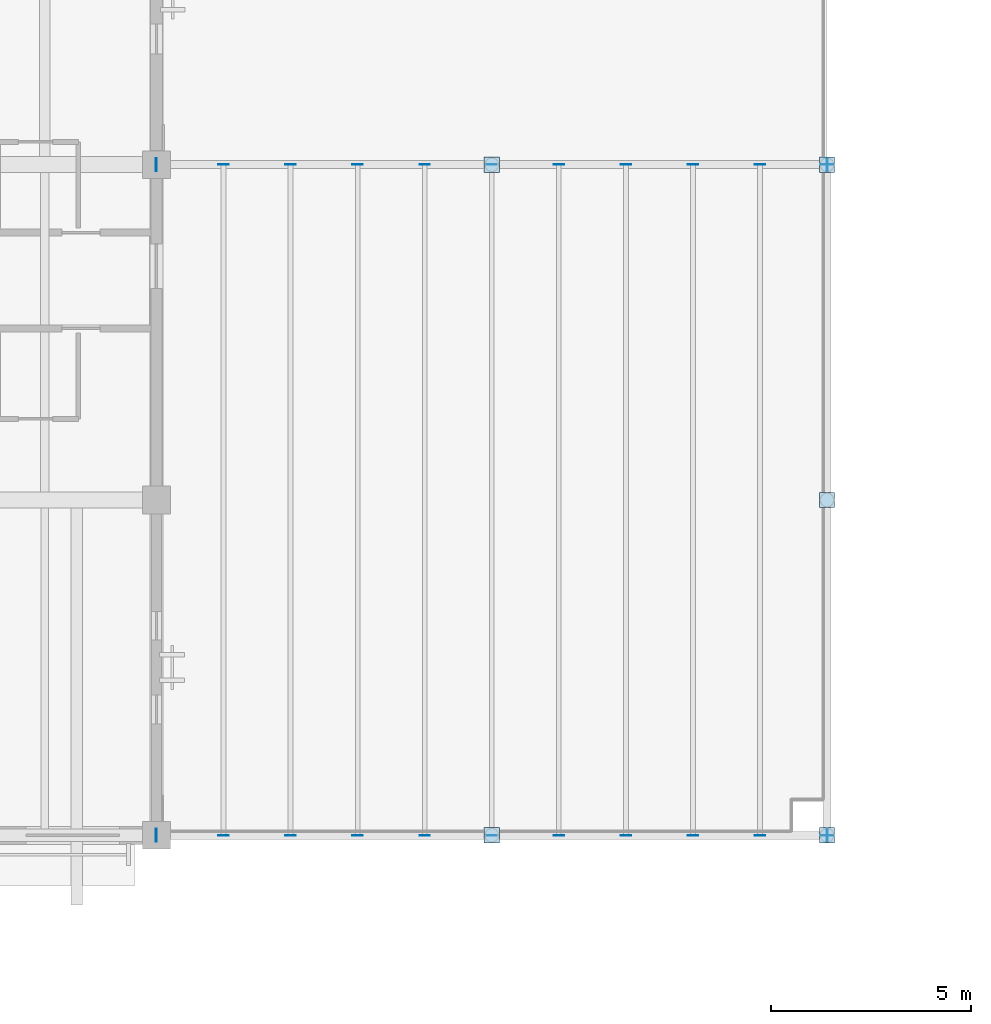
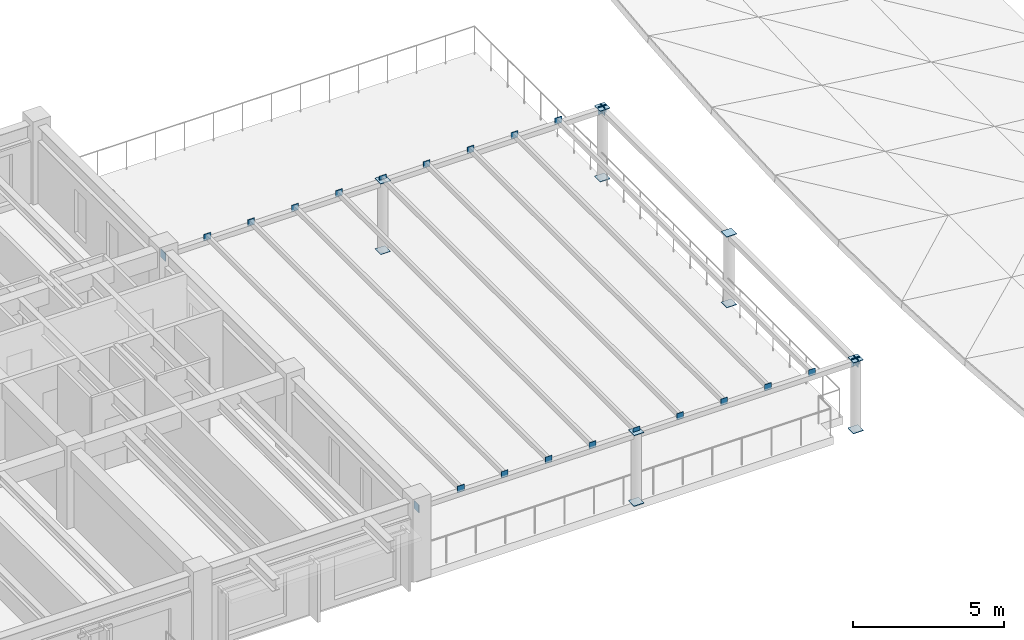
# One storey, part 76 of 93: 34 plates.
"""IFC4 building model written with IfcOpenShell, lengths in metres."""

from ifc_helpers import new_model, si_unit, direction, frame, origin, origin_2d, place, context, subcontext, project, spatial, rectangle, extrude, material, layer, layer_set, type_object, element, save


model = new_model("IFC4")

# Units and contexts
model_context = context("Model", 3, precision=1e-05, world=origin(), true_north=direction((0.0, 1.0)))
body_context = subcontext(model_context, "Body", "Model", "MODEL_VIEW")
ifc_project = project(units=[si_unit("LENGTHUNIT", "METRE"), si_unit("AREAUNIT", "SQUARE_METRE"), si_unit("VOLUMEUNIT", "CUBIC_METRE"), si_unit("PLANEANGLEUNIT", "RADIAN"), si_unit("MASSUNIT", "GRAM", prefix="KILO")], contexts=[model_context])

# Site, building, storey
site_placement = place(None, origin())
site = spatial("IfcSite", under=ifc_project, at=site_placement, CompositionType="ELEMENT")
building_placement = place(site_placement, origin())
building = spatial("IfcBuilding", under=site, at=building_placement, Name="Cumbredor Promenade Congress Hotel", CompositionType="ELEMENT")
storey_placement = place(building_placement, frame((0.0, 0.0, 21.840087890625)))
storey = spatial("IfcBuildingStorey", under=building, at=storey_placement, Name="L06", CompositionType="ELEMENT", Elevation=21.840087890625)

# Plates
ifc_material = material(Name="Steel ASTM A572 Grade 50", Category="steel")
ifc_layer_1 = layer(ifc_material, 0.02001953125, Name="Steel ASTM A572 Grade 50", Category="steel")
ifc_layer_set_1 = layer_set([ifc_layer_1], Name="Steel ASTM A572 Grade 50")
plate_type_1 = type_object("IfcPlateType", Name="Hollow Section End Cap Plate CP-04", PredefinedType="USERDEFINED", material=ifc_layer_set_1)
for number, where, z_axis, x_axis, name in (
    (1, (75.60009765625, 92.39990234375, -0.01318359375), (0.0, 0.0, 1.0), (1.0, 0.0, 0.0), "L06 Sky-Garden Pergola Post 3.4 Start Cap Plate"),
    (2, (75.60009765625, 92.39990234375, 2.847900390625), (0.0, 0.0, 1.0), (1.0, 0.0, 0.0), "L06 Sky-Garden Pergola Post 3.4 End Cap Plate"),
    (3, (75.60009765625, 109.199951171875, -0.01318359375), (0.0, 0.0, 1.0), (1.0, 0.0, 0.0), "L06 Sky-Garden Pergola Post 3.5 Start Cap Plate"),
    (4, (75.60009765625, 109.199951171875, 2.847900390625), (0.0, 0.0, 1.0), (1.0, 0.0, 0.0), "L06 Sky-Garden Pergola Post 3.5 End Cap Plate"),
    (5, (84.0, 92.39990234375, -0.01318359375), (0.0, 0.0, 1.0), (1.0, 0.0, 0.0), "L06 Sky-Garden Pergola Post 3.6 Start Cap Plate"),
    (6, (84.0, 92.39990234375, 2.847900390625), (0.0, 0.0, 1.0), (1.0, 0.0, 0.0), "L06 Sky-Garden Pergola Post 3.6 End Cap Plate"),
    (7, (84.0, 100.800048828125, -0.01318359375), (0.0, 0.0, 1.0), (1.0, 0.0, 0.0), "L06 Sky-Garden Pergola Post 3.7 Start Cap Plate"),
    (8, (84.0, 100.800048828125, 2.847900390625), (0.0, 0.0, 1.0), (1.0, 0.0, 0.0), "L06 Sky-Garden Pergola Post 3.7 End Cap Plate"),
    (9, (84.0, 109.199951171875, -0.01318359375), (0.0, 0.0, 1.0), (1.0, 0.0, 0.0), "L06 Sky-Garden Pergola Post 3.8 Start Cap Plate"),
    (10, (84.0, 109.199951171875, 2.847900390625), (0.0, 0.0, 1.0), (1.0, 0.0, 0.0), "L06 Sky-Garden Pergola Post 3.8 End Cap Plate"),
):
    element("IfcPlate", number, at=place(storey_placement, frame(where, z_axis=z_axis, x_axis=x_axis)), inside=storey, type_object=plate_type_1, Name=name, ObjectType="CAP PLATE", PredefinedType="USERDEFINED", context=body_context, shape_type="SweptSolid", body=[
        extrude(rectangle(XDim=0.3798828125, YDim=0.3798828125, at=origin_2d()), origin(), (0.0, 0.0, 1.0), 0.02001953125),
    ])
ifc_layer_2 = layer(ifc_material, 0.02001953125, Name="Steel ASTM A572 Grade 50", Category="steel")
ifc_layer_set_2 = layer_set([ifc_layer_2], Name="Steel ASTM A572 Grade 50")
plate_type_2 = type_object("IfcPlateType", Name="Hollow Section End Cap Plate CP-05", PredefinedType="USERDEFINED", material=ifc_layer_set_2)
for number, where, z_axis, x_axis, name in (
    (11, (67.19189453125, 92.39990234375, 2.58984375), (0.0, 0.0, 1.0), (1.0, 0.0, 0.0), "L06 Sky-Garden Pergola Tie Beam 3S Start Cap Plate"),
    (12, (84.008056640625, 92.39990234375, 2.58984375), (0.0, 0.0, 1.0), (1.0, 0.0, 0.0), "L06 Sky-Garden Pergola Tie Beam 3S End Cap Plate"),
    (13, (67.19189453125, 109.199951171875, 2.58984375), (0.0, 0.0, 1.0), (1.0, 0.0, 0.0), "L06 Sky-Garden Pergola Tie Beam 3N Start Cap Plate"),
    (14, (84.008056640625, 109.199951171875, 2.58984375), (0.0, 0.0, 1.0), (1.0, 0.0, 0.0), "L06 Sky-Garden Pergola Tie Beam 3N End Cap Plate"),
    (15, (84.0, 92.39208984375, 2.58984375), (0.0, 0.0, 1.0), (0.0, 1.0, 0.0), "L06 Sky-Garden Pergola Tie Beam 3E Start Cap Plate"),
    (16, (84.0, 109.2080078125, 2.58984375), (0.0, 0.0, 1.0), (0.0, 1.0, 0.0), "L06 Sky-Garden Pergola Tie Beam 3E End Cap Plate"),
):
    element("IfcPlate", number, at=place(storey_placement, frame(where, z_axis=z_axis, x_axis=x_axis)), inside=storey, type_object=plate_type_2, Name=name, ObjectType="CAP PLATE", PredefinedType="USERDEFINED", context=body_context, shape_type="SweptSolid", body=[
        extrude(rectangle(XDim=0.02001953125, YDim=0.320068359375, at=origin_2d()), origin(), (0.0, 0.0, 1.0), 0.320068359375),
    ])
ifc_layer_3 = layer(ifc_material, 0.02001953125, Name="Steel ASTM A572 Grade 50", Category="steel")
ifc_layer_set_3 = layer_set([ifc_layer_3], Name="Steel ASTM A572 Grade 50")
plate_type_3 = type_object("IfcPlateType", Name="Hollow Section End Cap Plate CP-06", PredefinedType="USERDEFINED", material=ifc_layer_set_3)
for number, where, z_axis, x_axis, name in (
    (17, (68.8798828125, 92.39208984375, 2.77001953125), (0.0, 0.0, 1.0), (0.0, 1.0, 0.0), "L06 Sky-Garden Trellis Slat 3.2 Start Cap Plate"),
    (18, (68.8798828125, 109.2080078125, 2.77001953125), (0.0, 0.0, 1.0), (0.0, 1.0, 0.0), "L06 Sky-Garden Trellis Slat 3.2 End Cap Plate"),
    (19, (70.56005859375, 92.39208984375, 2.77001953125), (0.0, 0.0, 1.0), (0.0, 1.0, 0.0), "L06 Sky-Garden Trellis Slat 3.3 Start Cap Plate"),
    (20, (70.56005859375, 109.2080078125, 2.77001953125), (0.0, 0.0, 1.0), (0.0, 1.0, 0.0), "L06 Sky-Garden Trellis Slat 3.3 End Cap Plate"),
    (21, (72.239990234375, 92.39208984375, 2.77001953125), (0.0, 0.0, 1.0), (0.0, 1.0, 0.0), "L06 Sky-Garden Trellis Slat 3.4 Start Cap Plate"),
    (22, (72.239990234375, 109.2080078125, 2.77001953125), (0.0, 0.0, 1.0), (0.0, 1.0, 0.0), "L06 Sky-Garden Trellis Slat 3.4 End Cap Plate"),
    (23, (73.919921875, 92.39208984375, 2.77001953125), (0.0, 0.0, 1.0), (0.0, 1.0, 0.0), "L06 Sky-Garden Trellis Slat 3.5 Start Cap Plate"),
    (24, (73.919921875, 109.2080078125, 2.77001953125), (0.0, 0.0, 1.0), (0.0, 1.0, 0.0), "L06 Sky-Garden Trellis Slat 3.5 End Cap Plate"),
    (25, (75.60009765625, 92.39208984375, 2.77001953125), (0.0, 0.0, 1.0), (0.0, 1.0, 0.0), "L06 Sky-Garden Trellis Slat 3.6 Start Cap Plate"),
    (26, (75.60009765625, 109.2080078125, 2.77001953125), (0.0, 0.0, 1.0), (0.0, 1.0, 0.0), "L06 Sky-Garden Trellis Slat 3.6 End Cap Plate"),
    (27, (77.280029296875, 92.39208984375, 2.77001953125), (0.0, 0.0, 1.0), (0.0, 1.0, 0.0), "L06 Sky-Garden Trellis Slat 3.7 Start Cap Plate"),
    (28, (77.280029296875, 109.2080078125, 2.77001953125), (0.0, 0.0, 1.0), (0.0, 1.0, 0.0), "L06 Sky-Garden Trellis Slat 3.7 End Cap Plate"),
    (29, (78.9599609375, 92.39208984375, 2.77001953125), (0.0, 0.0, 1.0), (0.0, 1.0, 0.0), "L06 Sky-Garden Trellis Slat 3.8 Start Cap Plate"),
    (30, (78.9599609375, 109.2080078125, 2.77001953125), (0.0, 0.0, 1.0), (0.0, 1.0, 0.0), "L06 Sky-Garden Trellis Slat 3.8 End Cap Plate"),
    (31, (80.639892578125, 92.39208984375, 2.77001953125), (0.0, 0.0, 1.0), (0.0, 1.0, 0.0), "L06 Sky-Garden Trellis Slat 3.9 Start Cap Plate"),
    (32, (80.639892578125, 109.2080078125, 2.77001953125), (0.0, 0.0, 1.0), (0.0, 1.0, 0.0), "L06 Sky-Garden Trellis Slat 3.9 End Cap Plate"),
    (33, (82.320068359375, 92.39208984375, 2.77001953125), (0.0, 0.0, 1.0), (0.0, 1.0, 0.0), "L06 Sky-Garden Trellis Slat 3.10 Start Cap Plate"),
    (34, (82.320068359375, 109.2080078125, 2.77001953125), (0.0, 0.0, 1.0), (0.0, 1.0, 0.0), "L06 Sky-Garden Trellis Slat 3.10 End Cap Plate"),
):
    element("IfcPlate", number, at=place(storey_placement, frame(where, z_axis=z_axis, x_axis=x_axis)), inside=storey, type_object=plate_type_3, Name=name, ObjectType="CAP PLATE", PredefinedType="USERDEFINED", context=body_context, shape_type="SweptSolid", body=[
        extrude(rectangle(XDim=0.02001953125, YDim=0.260009765625, at=origin_2d()), origin(), (0.0, 0.0, 1.0), 0.260009765625),
    ])

save(model, "model.ifc")
